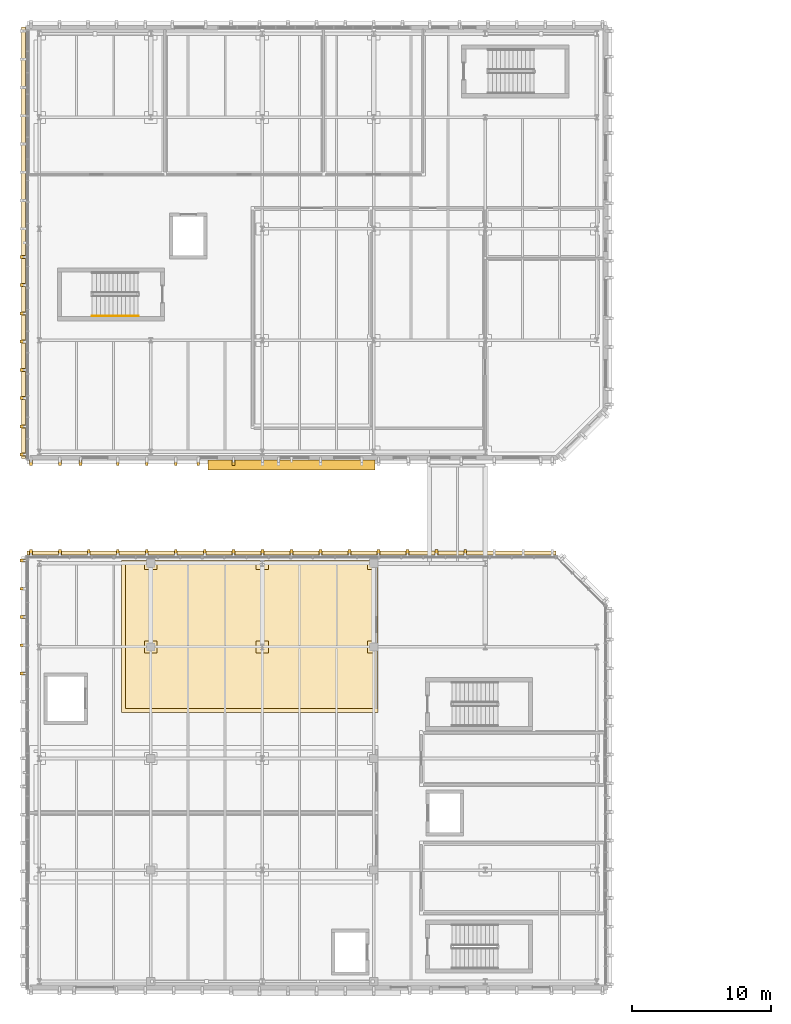
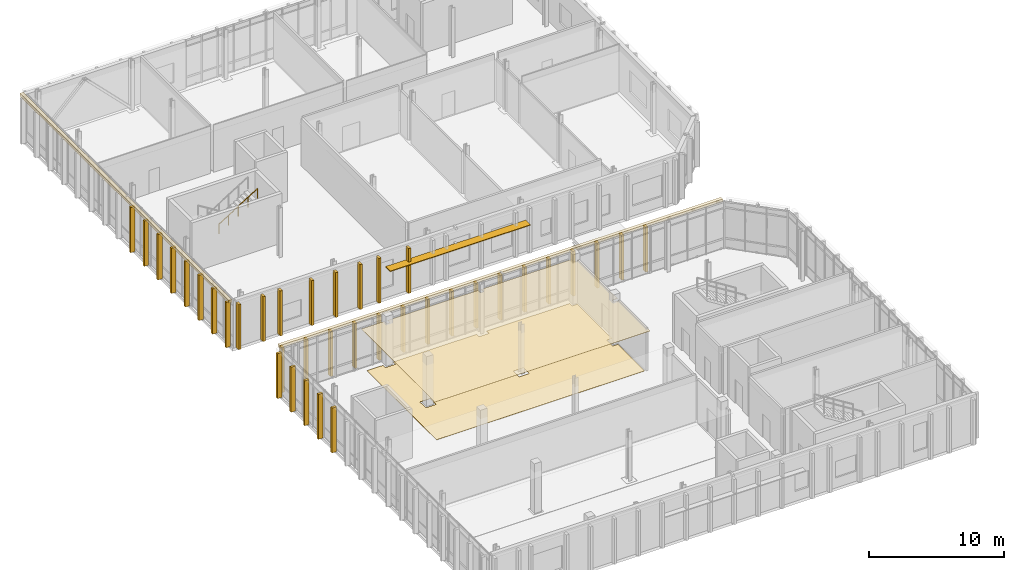
# One storey, part 56 of 62: 41 coverings, 1 railing, 1 shading device.
"""IFC4 building model written with IfcOpenShell, lengths in metres."""

from ifc_helpers import new_model, si_unit, direction, frame, origin, origin_2d, place, context, subcontext, project, spatial, polyline, rectangle, circle, outline, extrude, material, layer, layer_set, type_object, element, save


model = new_model("IFC4")

# Units and contexts
model_context = context("Model", 3, precision=1e-05, world=origin(), true_north=direction((0.0, 1.0)))
body_context = subcontext(model_context, "Body", "Model", "MODEL_VIEW")
ifc_project = project(units=[si_unit("LENGTHUNIT", "METRE"), si_unit("AREAUNIT", "SQUARE_METRE"), si_unit("VOLUMEUNIT", "CUBIC_METRE"), si_unit("PLANEANGLEUNIT", "RADIAN"), si_unit("MASSUNIT", "GRAM", prefix="KILO")], contexts=[model_context])

# Site, building, storey
site_placement = place(None, origin())
site = spatial("IfcSite", under=ifc_project, at=site_placement, CompositionType="ELEMENT")
building_placement = place(site_placement, origin())
building = spatial("IfcBuilding", under=site, at=building_placement, Name="Cymarion Research Institute", CompositionType="ELEMENT")
storey_placement = place(building_placement, frame((0.0, 0.0, 18.300048828125)))
storey = spatial("IfcBuildingStorey", under=building, at=storey_placement, Name="L04", CompositionType="ELEMENT", Elevation=18.300048828125)

# Covering
ifc_material_1 = material(Name="Micro-perforated mineral acoustic ceiling tile", Category="gypsum")
ifc_layer_1 = layer(ifc_material_1, 0.030029296875)
ifc_layer_set_1 = layer_set([ifc_layer_1], Name="Micro-perforated mineral acoustic ceiling tile")
covering_type_1 = type_object("IfcCoveringType", Name="ACOUSTIC MICRO-PERFORATED SUSPENDED CEILING CLG-01", PredefinedType="CEILING", material=ifc_layer_set_1)
covering_1_placement = place(storey_placement, frame((0.0, 0.0, 3.68994140625)))
element("IfcCovering", 1, at=covering_1_placement, inside=storey, type_object=covering_type_1, Name="L04 L04 Electron-Beam & Surface Metrology Laboratory acoustic ceiling", PredefinedType="CEILING", context=body_context, shape_type="SweptSolid", body=[
    extrude(outline(polyline([(14.465087890625, 77.715087890625), (14.465087890625, 77.364990234375), (14.735107421875, 77.364990234375), (14.735107421875, 77.715087890625), (22.465087890625, 77.715087890625), (22.465087890625, 77.364990234375), (22.735107421875, 77.364990234375), (22.735107421875, 77.715087890625), (30.465087890625, 77.715087890625), (30.465087890625, 77.364990234375), (30.9150390625, 77.364990234375), (30.9150390625, 71.635009765625), (30.465087890625, 71.635009765625), (30.465087890625, 71.364990234375), (30.9150390625, 71.364990234375), (30.9150390625, 66.784912109375), (12.485107421875, 66.784912109375), (12.485107421875, 77.715087890625), (14.465087890625, 77.715087890625)])), origin(), (0.0, 0.0, 1.0), 0.030029296875),
])

# Shading device
ifc_material_2 = material(Name="Anodised aluminium aerofoil sunshade", Category="aluminium")
ifc_layer_2 = layer(ifc_material_2, 0.06005859375)
ifc_layer_set_2 = layer_set([ifc_layer_2], Name="Anodised aluminium aerofoil sunshade")
shading_device_type = type_object("IfcShadingDeviceType", Name="ANODISED ALUMINIUM HORIZONTAL SUNSHADE SHD1 700MM", PredefinedType="AWNING", material=ifc_layer_set_2)
shading_device_placement = place(storey_placement, frame((24.699951171875, 84.548095703125, 2.7900390625), z_axis=(0.0, 0.0, 1.0), x_axis=(0.0, -1.0, 0.0)))
element("IfcShadingDevice", 2, at=shading_device_placement, inside=storey, type_object=shading_device_type, Name="L04 V5 south aluminium sunshade SHD1 #10", PredefinedType="AWNING", context=body_context, shape_type="SweptSolid", body=[
    extrude(rectangle(XDim=0.699951171875, YDim=12.0, at=origin_2d()), origin(), (0.0, 0.0, 1.0), 0.06005859375),
])

# Coverings
ifc_material_3 = material(Name="Precast concrete C45/55 architectural white", Category="concrete")
ifc_layer_3 = layer(ifc_material_3, 0.260009765625)
ifc_layer_set_3 = layer_set([ifc_layer_3], Name="Precast concrete C45/55 architectural white")
covering_type_2 = type_object("IfcCoveringType", Name="SCULPTURAL WHITE PRECAST CONCRETE SPANDREL BROW BAND RIB2 280MM", PredefinedType="CLADDING", material=ifc_layer_set_3)
covering_2_placement = place(storey_placement, frame((24.699951171875, 78.241943359375, 4.080078125), z_axis=(0.0, 0.0, 1.0), x_axis=(0.0, 1.0, 0.0)))
element("IfcCovering", 3, at=covering_2_placement, inside=storey, type_object=covering_type_2, Name="L04 V4 precast spandrel brow band RIB2 #860", PredefinedType="CLADDING", context=body_context, shape_type="SweptSolid", body=[
    extrude(rectangle(XDim=0.280029296875, YDim=37.9599609375, at=origin_2d()), origin(), (0.0, 0.0, 1.0), 0.260009765625),
])
covering_3_placement = place(storey_placement, frame((5.4580078125, 100.5, 4.1201171875), z_axis=(0.0, 0.0, 1.0), x_axis=(-1.0, 0.0, 0.0)))
element("IfcCovering", 4, at=covering_3_placement, inside=storey, type_object=covering_type_2, Name="L04 V5 precast spandrel brow band RIB2 #958", PredefinedType="CLADDING", context=body_context, shape_type="SweptSolid", body=[
    extrude(rectangle(XDim=0.280029296875, YDim=30.9599609375, at=origin_2d()), origin(), (0.0, 0.0, 1.0), 0.260009765625),
])
ifc_layer_4 = layer(ifc_material_3, 0.199951171875)
ifc_layer_set_4 = layer_set([ifc_layer_4], Name="Precast concrete C45/55 architectural white")
covering_type_3 = type_object("IfcCoveringType", Name="SCULPTURAL WHITE PRECAST CONCRETE VERTICAL RIB RIB1 380X200", PredefinedType="CLADDING", material=ifc_layer_set_4)
for number, where, z_axis, x_axis, name in (
    (5, (37.166748046875, 78.2919921875, 0.010009765625), (0.0, 0.0, 1.0), (0.0, 1.0, 0.0), "L04 V4 sculptural precast vertical rib RIB1 #864"),
    (6, (35.0888671875, 78.2919921875, 0.010009765625), (0.0, 0.0, 1.0), (0.0, 1.0, 0.0), "L04 V4 sculptural precast vertical rib RIB1 #865"),
    (7, (33.010986328125, 78.2919921875, 0.010009765625), (0.0, 0.0, 1.0), (0.0, 1.0, 0.0), "L04 V4 sculptural precast vertical rib RIB1 #866"),
    (8, (30.933349609375, 78.2919921875, 0.010009765625), (0.0, 0.0, 1.0), (0.0, 1.0, 0.0), "L04 V4 sculptural precast vertical rib RIB1 #867"),
    (9, (28.855712890625, 78.2919921875, 0.010009765625), (0.0, 0.0, 1.0), (0.0, 1.0, 0.0), "L04 V4 sculptural precast vertical rib RIB1 #868"),
    (10, (26.77783203125, 78.2919921875, 0.010009765625), (0.0, 0.0, 1.0), (0.0, 1.0, 0.0), "L04 V4 sculptural precast vertical rib RIB1 #869"),
    (11, (24.699951171875, 78.2919921875, 0.010009765625), (0.0, 0.0, 1.0), (0.0, 1.0, 0.0), "L04 V4 sculptural precast vertical rib RIB1 #870"),
    (12, (22.622314453125, 78.2919921875, 0.010009765625), (0.0, 0.0, 1.0), (0.0, 1.0, 0.0), "L04 V4 sculptural precast vertical rib RIB1 #871"),
    (13, (20.54443359375, 78.2919921875, 0.010009765625), (0.0, 0.0, 1.0), (0.0, 1.0, 0.0), "L04 V4 sculptural precast vertical rib RIB1 #872"),
    (14, (18.466796875, 78.2919921875, 0.010009765625), (0.0, 0.0, 1.0), (0.0, 1.0, 0.0), "L04 V4 sculptural precast vertical rib RIB1 #873"),
    (15, (16.388916015625, 78.2919921875, 0.010009765625), (0.0, 0.0, 1.0), (0.0, 1.0, 0.0), "L04 V4 sculptural precast vertical rib RIB1 #874"),
    (16, (14.31103515625, 78.2919921875, 0.010009765625), (0.0, 0.0, 1.0), (0.0, 1.0, 0.0), "L04 V4 sculptural precast vertical rib RIB1 #875"),
    (17, (12.2333984375, 78.2919921875, 0.010009765625), (0.0, 0.0, 1.0), (0.0, 1.0, 0.0), "L04 V4 sculptural precast vertical rib RIB1 #876"),
    (18, (10.155517578125, 78.2919921875, 0.010009765625), (0.0, 0.0, 1.0), (0.0, 1.0, 0.0), "L04 V4 sculptural precast vertical rib RIB1 #877"),
    (19, (8.077880859375, 78.2919921875, 0.010009765625), (0.0, 0.0, 1.0), (0.0, 1.0, 0.0), "L04 V4 sculptural precast vertical rib RIB1 #878"),
    (20, (6.0, 78.2919921875, 0.010009765625), (0.0, 0.0, 1.0), (0.0, 1.0, 0.0), "L04 V4 sculptural precast vertical rib RIB1 #879"),
    (21, (5.407958984375, 77.699951171875, 0.010009765625), (0.0, 0.0, 1.0), (-1.0, 0.0, 0.0), "L04 V4 sculptural precast vertical rib RIB1 #881"),
    (22, (5.407958984375, 75.67333984375, 0.010009765625), (0.0, 0.0, 1.0), (-1.0, 0.0, 0.0), "L04 V4 sculptural precast vertical rib RIB1 #882"),
    (23, (5.407958984375, 73.646728515625, 0.010009765625), (0.0, 0.0, 1.0), (-1.0, 0.0, 0.0), "L04 V4 sculptural precast vertical rib RIB1 #883"),
    (24, (5.407958984375, 71.6201171875, 0.010009765625), (0.0, 0.0, 1.0), (-1.0, 0.0, 0.0), "L04 V4 sculptural precast vertical rib RIB1 #884"),
    (25, (5.407958984375, 69.59326171875, 0.010009765625), (0.0, 0.0, 1.0), (-1.0, 0.0, 0.0), "L04 V4 sculptural precast vertical rib RIB1 #885"),
    (26, (6.0, 84.7080078125, 0.010009765625), (0.0, 0.0, 1.0), (0.0, -1.0, 0.0), "L04 V5 sculptural precast vertical rib RIB1 #898"),
    (27, (8.077880859375, 84.7080078125, 0.010009765625), (0.0, 0.0, 1.0), (0.0, -1.0, 0.0), "L04 V5 sculptural precast vertical rib RIB1 #899"),
    (28, (9.550048828125, 84.7080078125, 0.010009765625), (0.0, 0.0, 1.0), (0.0, -1.0, 0.0), "L04 V5 sculptural precast vertical rib RIB1 #900"),
    (29, (12.2333984375, 84.7080078125, 0.010009765625), (0.0, 0.0, 1.0), (0.0, -1.0, 0.0), "L04 V5 sculptural precast vertical rib RIB1 #901"),
    (30, (14.31103515625, 84.7080078125, 0.010009765625), (0.0, 0.0, 1.0), (0.0, -1.0, 0.0), "L04 V5 sculptural precast vertical rib RIB1 #902"),
    (31, (16.388916015625, 84.7080078125, 0.010009765625), (0.0, 0.0, 1.0), (0.0, -1.0, 0.0), "L04 V5 sculptural precast vertical rib RIB1 #903"),
    (32, (18.010009765625, 84.7080078125, 0.010009765625), (0.0, 0.0, 1.0), (0.0, -1.0, 0.0), "L04 V5 sculptural precast vertical rib RIB1 #904"),
    (33, (20.54443359375, 84.7080078125, 0.010009765625), (0.0, 0.0, 1.0), (0.0, -1.0, 0.0), "L04 V5 sculptural precast vertical rib RIB1 #905"),
):
    element("IfcCovering", number, at=place(storey_placement, frame(where, z_axis=z_axis, x_axis=x_axis)), inside=storey, type_object=covering_type_3, Name=name, PredefinedType="CLADDING", context=body_context, shape_type="SweptSolid", body=[
        extrude(rectangle(XDim=0.3798828125, YDim=0.199951171875, at=origin_2d()), origin(), (0.0, 0.0, 1.0), 4.06494140625),
    ])
for number, where, z_axis, x_axis, name in (
    (34, (5.407958984375, 99.48681640625, 0.010009765625), (0.0, 0.0, 1.0), (-1.0, 0.0, 0.0), "L04 V5 sculptural precast vertical rib RIB1 #967"),
    (35, (5.407958984375, 97.4599609375, 0.010009765625), (0.0, 0.0, 1.0), (-1.0, 0.0, 0.0), "L04 V5 sculptural precast vertical rib RIB1 #968"),
    (36, (5.407958984375, 95.433349609375, 0.010009765625), (0.0, 0.0, 1.0), (-1.0, 0.0, 0.0), "L04 V5 sculptural precast vertical rib RIB1 #969"),
    (37, (5.407958984375, 93.40673828125, 0.010009765625), (0.0, 0.0, 1.0), (-1.0, 0.0, 0.0), "L04 V5 sculptural precast vertical rib RIB1 #970"),
    (38, (5.407958984375, 91.3798828125, 0.010009765625), (0.0, 0.0, 1.0), (-1.0, 0.0, 0.0), "L04 V5 sculptural precast vertical rib RIB1 #971"),
    (39, (5.407958984375, 89.353271484375, 0.010009765625), (0.0, 0.0, 1.0), (-1.0, 0.0, 0.0), "L04 V5 sculptural precast vertical rib RIB1 #972"),
    (40, (5.407958984375, 87.32666015625, 0.010009765625), (0.0, 0.0, 1.0), (-1.0, 0.0, 0.0), "L04 V5 sculptural precast vertical rib RIB1 #973"),
    (41, (5.407958984375, 85.300048828125, 0.010009765625), (0.0, 0.0, 1.0), (-1.0, 0.0, 0.0), "L04 V5 sculptural precast vertical rib RIB1 #974"),
):
    element("IfcCovering", number, at=place(storey_placement, frame(where, z_axis=z_axis, x_axis=x_axis)), inside=storey, type_object=covering_type_3, Name=name, PredefinedType="CLADDING", context=body_context, shape_type="SweptSolid", body=[
        extrude(rectangle(XDim=0.3798828125, YDim=0.199951171875, at=origin_2d()), origin(), (0.0, 0.0, 1.0), 4.10498046875),
    ])
ifc_material_4 = material(Name="Seamless dissipative epoxy resin flooring", Category="resin")
ifc_layer_5 = layer(ifc_material_4, 0.02001953125)
ifc_layer_set_5 = layer_set([ifc_layer_5], Name="Seamless dissipative epoxy resin flooring")
covering_type_4 = type_object("IfcCoveringType", Name="SEAMLESS ESD EPOXY LABORATORY FLOORING FLR-01", PredefinedType="FLOORING", material=ifc_layer_set_5)
covering_4_placement = place(storey_placement, origin())
element("IfcCovering", 42, at=covering_4_placement, inside=storey, type_object=covering_type_4, Name="L04 L04 Electron-Beam & Surface Metrology Laboratory ESD epoxy flooring", PredefinedType="FLOORING", context=body_context, shape_type="SweptSolid", body=[
    extrude(outline(polyline([(12.784912109375, 77.4150390625), (14.1650390625, 77.4150390625), (14.1650390625, 77.06494140625), (15.034912109375, 77.06494140625), (15.034912109375, 77.4150390625), (22.1650390625, 77.4150390625), (22.1650390625, 77.06494140625), (23.034912109375, 77.06494140625), (23.034912109375, 77.4150390625), (30.1650390625, 77.4150390625), (30.1650390625, 77.06494140625), (30.614990234375, 77.06494140625), (30.614990234375, 71.93505859375), (30.1650390625, 71.93505859375), (30.1650390625, 71.06494140625), (30.614990234375, 71.06494140625), (30.614990234375, 67.0849609375), (12.784912109375, 67.0849609375), (12.784912109375, 77.4150390625)]), holes=[polyline([(22.1650390625, 71.93505859375), (22.1650390625, 71.06494140625), (23.034912109375, 71.06494140625), (23.034912109375, 71.93505859375), (22.1650390625, 71.93505859375)]), polyline([(14.1650390625, 71.93505859375), (14.1650390625, 71.06494140625), (15.034912109375, 71.06494140625), (15.034912109375, 71.93505859375), (14.1650390625, 71.93505859375)])]), origin(), (0.0, 0.0, 1.0), 0.02001953125),
])

# Railing
ifc_material_5 = material(Name="Steel S355", Category="steel")
railing_type = type_object("IfcRailingType", Name="STAINLESS STEEL STAIR HANDRAIL HR1 900MM", PredefinedType="HANDRAIL", material=ifc_material_5)
railing_placement = place(storey_placement, frame((10.39990234375, 95.25, 2.4375)))
element("IfcRailing", 43, at=railing_placement, inside=storey, type_object=railing_type, Name="L04 ST9 stair handrail 2", PredefinedType="HANDRAIL", context=body_context, shape_type="SweptSolid", body=[
    extrude(circle(Radius=0.02392578125, at=origin_2d()), frame((0.0, 0.0, 0.8759765625), z_axis=(0.848001828478, 0.0, 0.529993300805), x_axis=(0.0, 1.0, 0.0)), (0.0, 0.0, 1.0), 3.8916015625),
    extrude(circle(Radius=0.02099609375, at=origin_2d()), origin(), (0.0, 0.0, 1.0), 0.851806640625),
    extrude(circle(Radius=0.02099609375, at=origin_2d()), frame((0.824951171875, 0.0, 0.515625)), (0.0, 0.0, 1.0), 0.851806640625),
    extrude(circle(Radius=0.02099609375, at=origin_2d()), frame((1.64990234375, 0.0, 1.03125)), (0.0, 0.0, 1.0), 0.851806640625),
    extrude(circle(Radius=0.02099609375, at=origin_2d()), frame((2.47509765625, 0.0, 1.546875)), (0.0, 0.0, 1.0), 0.851806640625),
    extrude(circle(Radius=0.02099609375, at=origin_2d()), frame((3.300048828125, 0.0, 2.0625)), (0.0, 0.0, 1.0), 0.851806640625),
])

save(model, "model.ifc")
